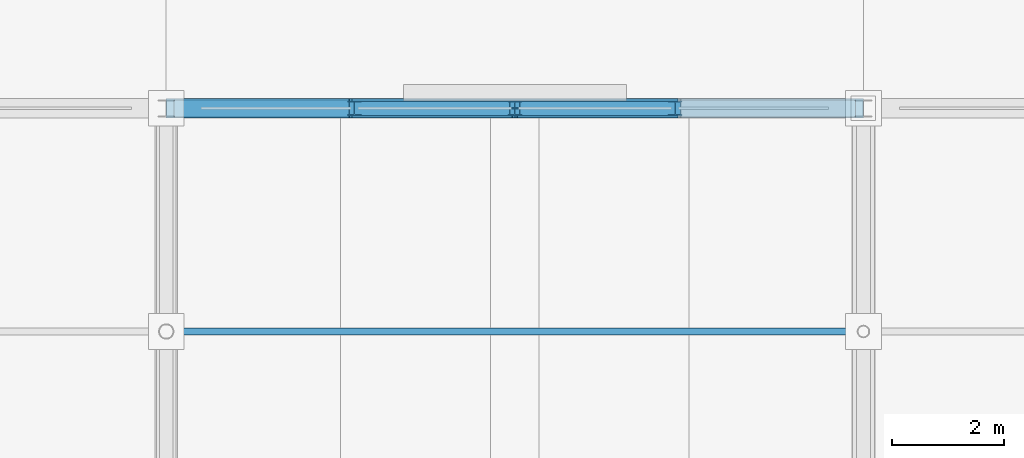
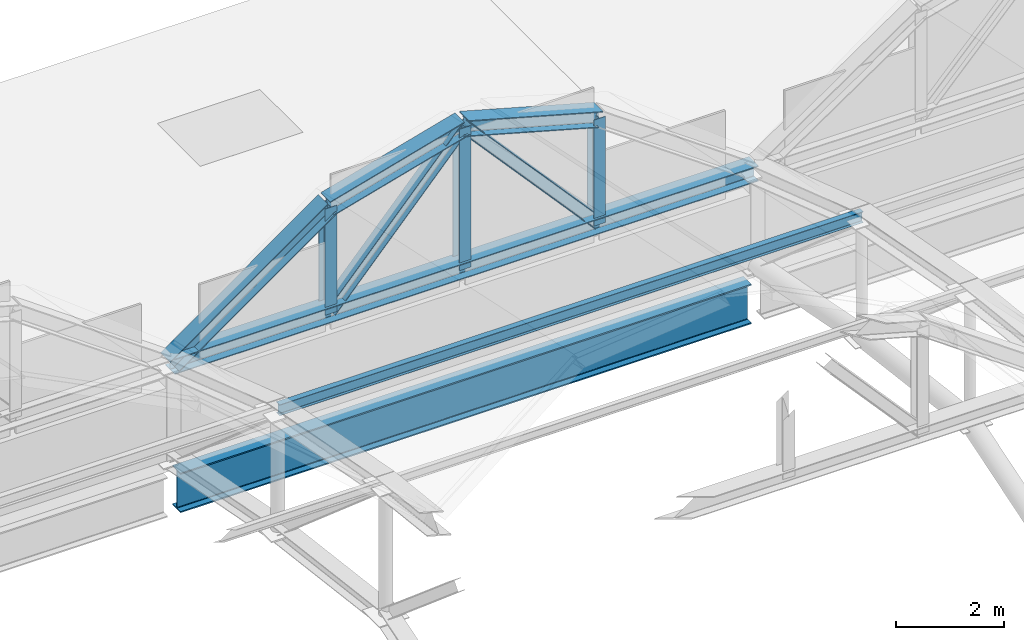
# One storey, part 81 of 117: 10 members, 1 beam.
"""IFC4 building model written with IfcOpenShell, lengths in metres."""

from ifc_helpers import new_model, si_unit, direction, frame, origin, origin_2d, place, context, subcontext, project, spatial, i_section, extrude, material, material_profile, profile_set, type_object, element, save


model = new_model("IFC4")

# Units and contexts
model_context = context("Model", 3, precision=1e-05, world=origin(), true_north=direction((0.0, 1.0)))
body_context = subcontext(model_context, "Body", "Model", "MODEL_VIEW")
ifc_project = project(units=[si_unit("LENGTHUNIT", "METRE"), si_unit("AREAUNIT", "SQUARE_METRE"), si_unit("VOLUMEUNIT", "CUBIC_METRE"), si_unit("PLANEANGLEUNIT", "RADIAN"), si_unit("MASSUNIT", "GRAM", prefix="KILO")], contexts=[model_context])

# Site, building, storey
site_placement = place(None, origin())
site = spatial("IfcSite", under=ifc_project, at=site_placement, CompositionType="ELEMENT")
building_placement = place(site_placement, origin())
building = spatial("IfcBuilding", under=site, at=building_placement, Name="Kazenohara Klinker Stadium", CompositionType="ELEMENT")
storey_placement = place(building_placement, frame((0.0, 0.0, 31.199951171875)))
storey = spatial("IfcBuildingStorey", under=building, at=storey_placement, Name="RF", CompositionType="ELEMENT", Elevation=31.199951171875)

# Members
ifc_material = material(Name="Steel S355", Category="steel")
ifc_material_profile_1 = material_profile(ifc_material, i_section(OverallWidth=0.35009765625, OverallDepth=0.35009765625, WebThickness=0.011962890625, FlangeThickness=0.01904296875, FilletRadius=0.012939453125, at=origin_2d()), Name="H-350x350x12x19")
ifc_profile_set_1 = profile_set([ifc_material_profile_1], Name="Steel S355")
member_type_1 = type_object("IfcMemberType", Name="MEM-CHD02", PredefinedType="CHORD", material=ifc_profile_set_1)
member_1_placement = place(storey_placement, frame((86.5, 144.0, 2.10009765625), z_axis=(1.0, 0.0, 0.0), x_axis=(0.0, 1.0, 0.0)))
element("IfcMember", 1, at=member_1_placement, inside=storey, type_object=member_type_1, Name="Barrel arch tie chord TC02 N-03-N0", PredefinedType="CHORD", context=body_context, shape_type="SweptSolid", body=[
    extrude(i_section(OverallWidth=0.35009765625, OverallDepth=0.35009765625, WebThickness=0.011962890625, FlangeThickness=0.01904296875, FilletRadius=0.012939453125, at=origin_2d()), origin(), (0.0, 0.0, 1.0), 12.5),
])
member_2_placement = place(storey_placement, frame((86.5, 144.0, 2.10009765625), z_axis=(0.814966461491, 0.0, 0.579508124744), x_axis=(0.0, 1.0, 0.0)))
element("IfcMember", 2, at=member_2_placement, inside=storey, type_object=member_type_1, Name="Barrel arch top rib TC02 N-03-N0-S1", PredefinedType="CHORD", context=body_context, shape_type="SweptSolid", body=[
    extrude(i_section(OverallWidth=0.35009765625, OverallDepth=0.35009765625, WebThickness=0.011962890625, FlangeThickness=0.01904296875, FilletRadius=0.012939453125, at=origin_2d()), origin(), (0.0, 0.0, 1.0), 4.141357421875),
])
for number, where, z_axis, x_axis, name in (
    (3, (89.875, 144.0, 4.5), (0.963393567269, 0.0, 0.268091093745), (0.0, 1.0, 0.0), "Barrel arch top rib TC02 N-03-N0-S2"),
    (4, (92.75, 144.0, 5.300048828125), (0.963393567269, 0.0, -0.268091093745), (0.0, 1.0, 0.0), "Barrel arch top rib TC02 N-03-N0-S3"),
):
    element("IfcMember", number, at=place(storey_placement, frame(where, z_axis=z_axis, x_axis=x_axis)), inside=storey, type_object=member_type_1, Name=name, PredefinedType="CHORD", context=body_context, shape_type="SweptSolid", body=[
        extrude(i_section(OverallWidth=0.35009765625, OverallDepth=0.35009765625, WebThickness=0.011962890625, FlangeThickness=0.01904296875, FilletRadius=0.012939453125, at=origin_2d()), origin(), (0.0, 0.0, 1.0), 2.984130859375),
    ])
ifc_material_profile_2 = material_profile(ifc_material, i_section(OverallWidth=0.125, OverallDepth=0.25, WebThickness=0.006103515625, FlangeThickness=0.009033203125, FilletRadius=0.008056640625, at=origin_2d()), Name="H-250x125x6x9")
ifc_profile_set_2 = profile_set([ifc_material_profile_2], Name="Steel S355")
member_type_2 = type_object("IfcMemberType", Name="MEM-PUR01", PredefinedType="PURLIN", material=ifc_profile_set_2)
member_3_placement = place(storey_placement, frame((86.5, 140.0, 3.469970703125), z_axis=(1.0, 0.0, 0.0), x_axis=(0.0, 1.0, 0.0)))
element("IfcMember", 5, at=member_3_placement, inside=storey, type_object=member_type_2, Name="Canopy valley tie purlin PR01 N-03-N1", PredefinedType="PURLIN", context=body_context, shape_type="SweptSolid", body=[
    extrude(i_section(OverallWidth=0.125, OverallDepth=0.25, WebThickness=0.006103515625, FlangeThickness=0.009033203125, FilletRadius=0.008056640625, at=origin_2d()), origin(), (0.0, 0.0, 1.0), 12.5),
])
ifc_material_profile_3 = material_profile(ifc_material, i_section(OverallWidth=0.25, OverallDepth=0.25, WebThickness=0.009033203125, FlangeThickness=0.013916015625, FilletRadius=0.012939453125, at=origin_2d()), Name="H-250x250x9x14")
ifc_profile_set_3 = profile_set([ifc_material_profile_3], Name="Steel S355")
member_type_3 = type_object("IfcMemberType", Name="MEM-STR02", PredefinedType="STRUT", material=ifc_profile_set_3)
member_4_placement = place(storey_placement, frame((89.875, 144.0, 2.10009765625), z_axis=(0.0, 0.0, 1.0), x_axis=(1.0, 0.0, 0.0)))
element("IfcMember", 6, at=member_4_placement, inside=storey, type_object=member_type_3, Name="Barrel arch web post TS02 N-03-N0-P1", PredefinedType="STRUT", context=body_context, shape_type="SweptSolid", body=[
    extrude(i_section(OverallWidth=0.25, OverallDepth=0.25, WebThickness=0.009033203125, FlangeThickness=0.013916015625, FilletRadius=0.012939453125, at=origin_2d()), origin(), (0.0, 0.0, 1.0), 2.39990234375),
])
member_5_placement = place(storey_placement, frame((92.75, 144.0, 2.10009765625), z_axis=(0.0, 0.0, 1.0), x_axis=(1.0, 0.0, 0.0)))
element("IfcMember", 7, at=member_5_placement, inside=storey, type_object=member_type_3, Name="Barrel arch web post TS02 N-03-N0-P2", PredefinedType="STRUT", context=body_context, shape_type="SweptSolid", body=[
    extrude(i_section(OverallWidth=0.25, OverallDepth=0.25, WebThickness=0.009033203125, FlangeThickness=0.013916015625, FilletRadius=0.012939453125, at=origin_2d()), origin(), (0.0, 0.0, 1.0), 3.199951171875),
])
member_6_placement = place(storey_placement, frame((95.625, 144.0, 2.10009765625), z_axis=(0.0, 0.0, 1.0), x_axis=(1.0, 0.0, 0.0)))
element("IfcMember", 8, at=member_6_placement, inside=storey, type_object=member_type_3, Name="Barrel arch web post TS02 N-03-N0-P3", PredefinedType="STRUT", context=body_context, shape_type="SweptSolid", body=[
    extrude(i_section(OverallWidth=0.25, OverallDepth=0.25, WebThickness=0.009033203125, FlangeThickness=0.013916015625, FilletRadius=0.012939453125, at=origin_2d()), origin(), (0.0, 0.0, 1.0), 2.39990234375),
])
for number, where, z_axis, x_axis, name in (
    (9, (89.875, 144.0, 2.10009765625), (0.668327970369, 0.0, 0.74386673808), (0.0, 1.0, 0.0), "Barrel arch web diagonal TS02 N-03-N0-D1"),
    (10, (95.625, 144.0, 2.10009765625), (-0.668327970369, 0.0, 0.74386673808), (0.0, -1.0, 0.0), "Barrel arch web diagonal TS02 N-03-N0-D2"),
):
    element("IfcMember", number, at=place(storey_placement, frame(where, z_axis=z_axis, x_axis=x_axis)), inside=storey, type_object=member_type_3, Name=name, PredefinedType="STRUT", context=body_context, shape_type="SweptSolid", body=[
        extrude(i_section(OverallWidth=0.25, OverallDepth=0.25, WebThickness=0.009033203125, FlangeThickness=0.013916015625, FilletRadius=0.012939453125, at=origin_2d()), origin(), (0.0, 0.0, 1.0), 4.3017578125),
    ])

# Beam
ifc_material_profile_4 = material_profile(ifc_material, i_section(OverallWidth=0.300048828125, OverallDepth=0.89990234375, WebThickness=0.01611328125, FlangeThickness=0.028076171875, FilletRadius=0.02197265625, at=origin_2d()), Name="H-900x300x16x28")
ifc_profile_set_4 = profile_set([ifc_material_profile_4], Name="Steel S355")
beam_type = type_object("IfcBeamType", Name="RING-RB01", PredefinedType="USERDEFINED", material=ifc_profile_set_4)
beam_placement = place(storey_placement, frame((86.639892578125, 144.0, -0.820068359375), z_axis=(1.0, 0.0, 0.0), x_axis=(0.0, 1.0, 0.0)))
element("IfcBeam", 11, at=beam_placement, inside=storey, type_object=beam_type, Name="Roof ring beam RB01 N-OUT 8-9", ObjectType="RING BEAM", PredefinedType="USERDEFINED", context=body_context, shape_type="SweptSolid", body=[
    extrude(i_section(OverallWidth=0.300048828125, OverallDepth=0.89990234375, WebThickness=0.01611328125, FlangeThickness=0.028076171875, FilletRadius=0.02197265625, at=origin_2d()), origin(), (0.0, 0.0, 1.0), 12.22021484375),
])

save(model, "model.ifc")
